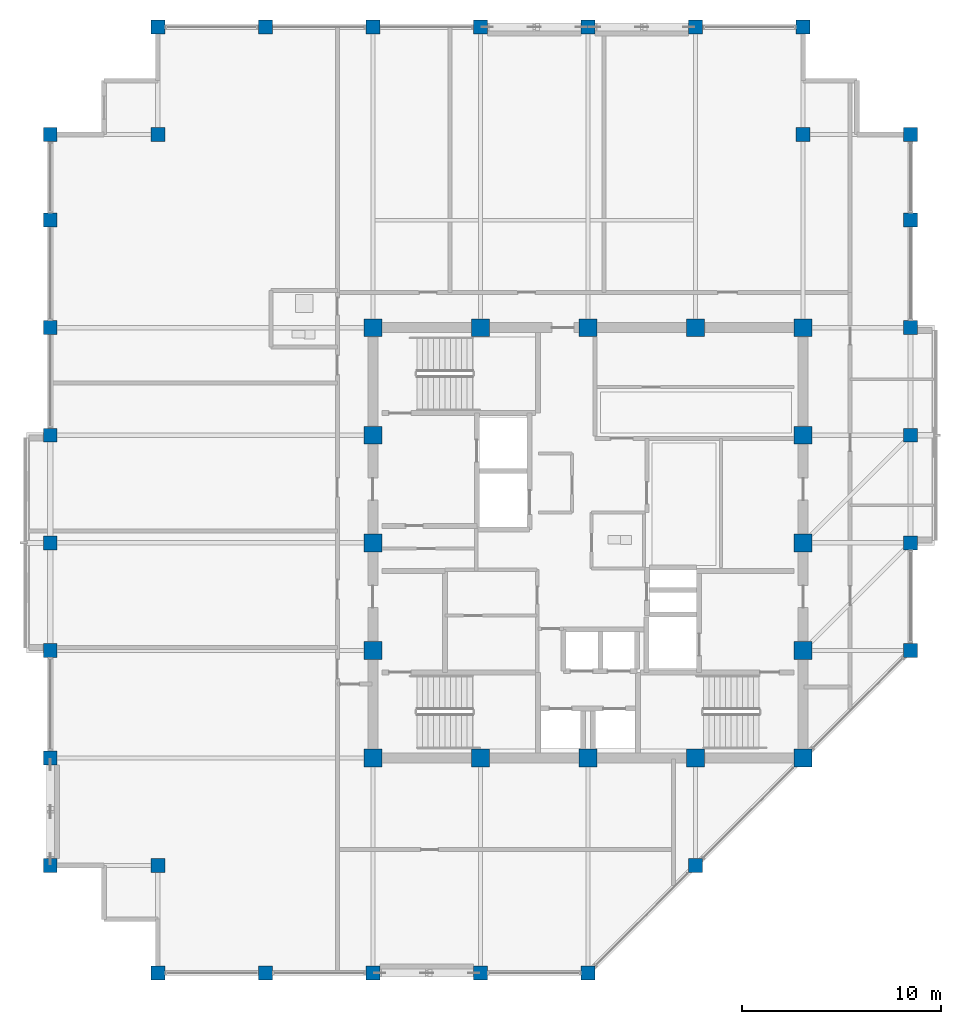
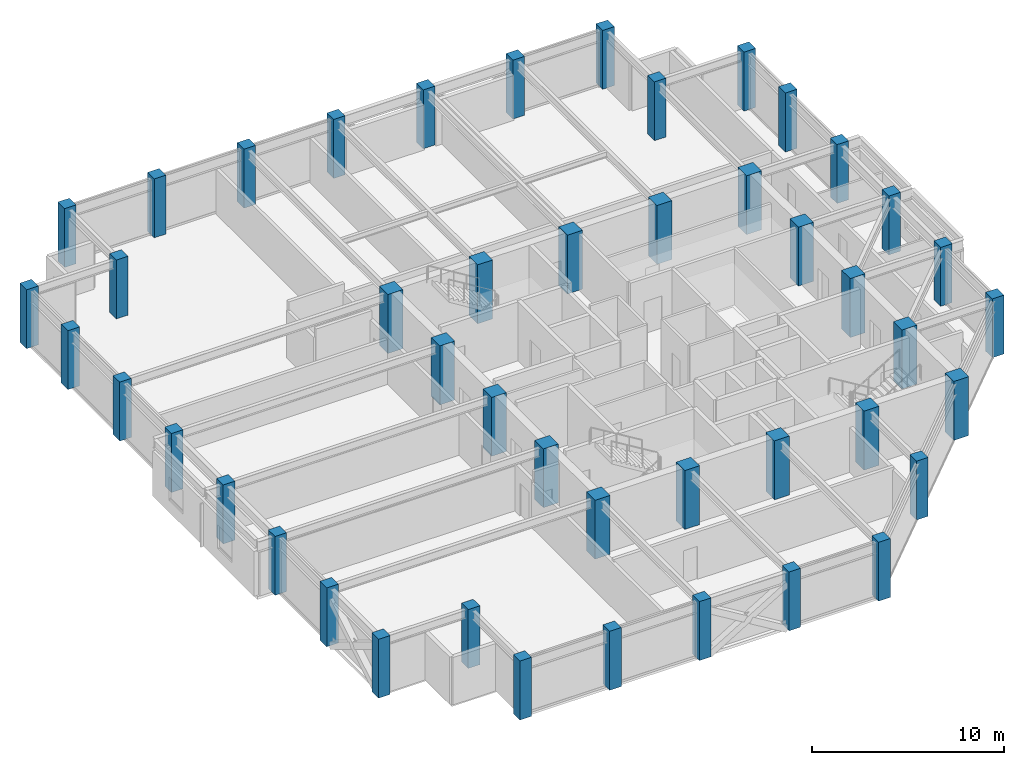
# One storey, part 1 of 29: 46 columns.
"""IFC4 building model written with IfcOpenShell, lengths in metres."""

from ifc_helpers import new_model, si_unit, direction, frame, origin, origin_2d, place, context, subcontext, project, spatial, rectangle, extrude, material, material_profile, profile_set, type_object, element, save


model = new_model("IFC4")

# Units and contexts
model_context = context("Model", 3, precision=1e-05, world=origin(), true_north=direction((0.0, 1.0)))
body_context = subcontext(model_context, "Body", "Model", "MODEL_VIEW")
ifc_project = project(units=[si_unit("LENGTHUNIT", "METRE"), si_unit("AREAUNIT", "SQUARE_METRE"), si_unit("VOLUMEUNIT", "CUBIC_METRE"), si_unit("PLANEANGLEUNIT", "RADIAN"), si_unit("MASSUNIT", "GRAM", prefix="KILO")], contexts=[model_context])

# Site, building, storey
site_placement = place(None, origin())
site = spatial("IfcSite", under=ifc_project, at=site_placement, CompositionType="ELEMENT")
building_placement = place(site_placement, origin())
building = spatial("IfcBuilding", under=site, at=building_placement, Name="Surkhivell Harbour Commons", CompositionType="ELEMENT")
storey_placement = place(building_placement, frame((0.0, 0.0, 277.5)))
storey = spatial("IfcBuildingStorey", under=building, at=storey_placement, Name="L72", CompositionType="ELEMENT", Elevation=277.5)

# Columns
ifc_material_1 = material(Name="Concrete C60/75", Category="concrete")
ifc_material_profile_1 = material_profile(ifc_material_1, rectangle(XDim=0.89990234375, YDim=0.89990234375, at=origin_2d()), Name="RC-COL-900x900")
ifc_profile_set_1 = profile_set([ifc_material_profile_1], Name="Concrete C60/75")
column_type_1 = type_object("IfcColumnType", Name="COL-TUBE-Z3A", PredefinedType="COLUMN", material=ifc_profile_set_1)
for number, where, z_axis, x_axis, name in (
    (1, (-10.800048828125, -10.800048828125, 0.0), (0.0, 0.0, 1.0), (1.0, 0.0, 0.0), "L72 Column CT-3A (-10.8,-10.8)"),
    (2, (-10.800048828125, -5.39990234375, 0.0), (0.0, 0.0, 1.0), (1.0, 0.0, 0.0), "L72 Column CT-3A (-10.8,-5.4)"),
    (3, (-10.800048828125, 0.0, 0.0), (0.0, 0.0, 1.0), (1.0, 0.0, 0.0), "L72 Column CT-3A (-10.8,0.0)"),
    (4, (-10.800048828125, 5.39990234375, 0.0), (0.0, 0.0, 1.0), (1.0, 0.0, 0.0), "L72 Column CT-3A (-10.8,5.4)"),
    (5, (-10.800048828125, 10.800048828125, 0.0), (0.0, 0.0, 1.0), (1.0, 0.0, 0.0), "L72 Column CT-3A (-10.8,10.8)"),
    (6, (-5.39990234375, -10.800048828125, 0.0), (0.0, 0.0, 1.0), (1.0, 0.0, 0.0), "L72 Column CT-3A (-5.4,-10.8)"),
    (7, (-5.39990234375, 10.800048828125, 0.0), (0.0, 0.0, 1.0), (1.0, 0.0, 0.0), "L72 Column CT-3A (-5.4,10.8)"),
    (8, (0.0, -10.800048828125, 0.0), (0.0, 0.0, 1.0), (1.0, 0.0, 0.0), "L72 Column CT-3A (0.0,-10.8)"),
    (9, (0.0, 10.800048828125, 0.0), (0.0, 0.0, 1.0), (1.0, 0.0, 0.0), "L72 Column CT-3A (0.0,10.8)"),
    (10, (5.39990234375, -10.800048828125, 0.0), (0.0, 0.0, 1.0), (1.0, 0.0, 0.0), "L72 Column CT-3A (5.4,-10.8)"),
    (11, (5.39990234375, 10.800048828125, 0.0), (0.0, 0.0, 1.0), (1.0, 0.0, 0.0), "L72 Column CT-3A (5.4,10.8)"),
    (12, (10.800048828125, -10.800048828125, 0.0), (0.0, 0.0, 1.0), (1.0, 0.0, 0.0), "L72 Column CT-3A (10.8,-10.8)"),
    (13, (10.800048828125, -5.39990234375, 0.0), (0.0, 0.0, 1.0), (1.0, 0.0, 0.0), "L72 Column CT-3A (10.8,-5.4)"),
    (14, (10.800048828125, 0.0, 0.0), (0.0, 0.0, 1.0), (1.0, 0.0, 0.0), "L72 Column CT-3A (10.8,0.0)"),
    (15, (10.800048828125, 5.39990234375, 0.0), (0.0, 0.0, 1.0), (1.0, 0.0, 0.0), "L72 Column CT-3A (10.8,5.4)"),
    (16, (10.800048828125, 10.800048828125, 0.0), (0.0, 0.0, 1.0), (1.0, 0.0, 0.0), "L72 Column CT-3A (10.8,10.8)"),
):
    element("IfcColumn", number, at=place(storey_placement, frame(where, z_axis=z_axis, x_axis=x_axis)), inside=storey, type_object=column_type_1, Name=name, PredefinedType="COLUMN", context=body_context, shape_type="SweptSolid", body=[
        extrude(rectangle(XDim=0.89990234375, YDim=0.89990234375, at=origin_2d()), origin(), (0.0, 0.0, 1.0), 3.75),
    ])
ifc_material_2 = material(Name="Concrete C50/60", Category="concrete")
ifc_material_profile_2 = material_profile(ifc_material_2, rectangle(XDim=0.699951171875, YDim=0.699951171875, at=origin_2d()), Name="RC-COL-700x700")
ifc_profile_set_2 = profile_set([ifc_material_profile_2], Name="Concrete C50/60")
column_type_2 = type_object("IfcColumnType", Name="COL-TUBE-Z4", PredefinedType="COLUMN", material=ifc_profile_set_2)
for number, where, z_axis, x_axis, name in (
    (17, (-27.0, -16.199951171875, 0.0), (0.0, 0.0, 1.0), (1.0, 0.0, 0.0), "L72 Column CT-4 (-27.0,-16.2)"),
    (18, (-27.0, -10.800048828125, 0.0), (0.0, 0.0, 1.0), (1.0, 0.0, 0.0), "L72 Column CT-4 (-27.0,-10.8)"),
    (19, (-27.0, -5.39990234375, 0.0), (0.0, 0.0, 1.0), (1.0, 0.0, 0.0), "L72 Column CT-4 (-27.0,-5.4)"),
    (20, (-27.0, 0.0, 0.0), (0.0, 0.0, 1.0), (1.0, 0.0, 0.0), "L72 Column CT-4 (-27.0,0.0)"),
    (21, (-27.0, 5.39990234375, 0.0), (0.0, 0.0, 1.0), (1.0, 0.0, 0.0), "L72 Column CT-4 (-27.0,5.4)"),
    (22, (-27.0, 10.800048828125, 0.0), (0.0, 0.0, 1.0), (1.0, 0.0, 0.0), "L72 Column CT-4 (-27.0,10.8)"),
    (23, (-27.0, 16.199951171875, 0.0), (0.0, 0.0, 1.0), (1.0, 0.0, 0.0), "L72 Column CT-4 (-27.0,16.2)"),
    (24, (-27.0, 20.5, 0.0), (0.0, 0.0, 1.0), (1.0, 0.0, 0.0), "L72 Column CT-4 (-27.0,20.5)"),
    (25, (-21.60009765625, -21.60009765625, 0.0), (0.0, 0.0, 1.0), (1.0, 0.0, 0.0), "L72 Column CT-4 (-21.6,-21.6)"),
    (26, (-21.60009765625, -16.199951171875, 0.0), (0.0, 0.0, 1.0), (1.0, 0.0, 0.0), "L72 Column CT-4 (-21.6,-16.2)"),
    (27, (-21.60009765625, 20.5, 0.0), (0.0, 0.0, 1.0), (1.0, 0.0, 0.0), "L72 Column CT-4 (-21.6,20.5)"),
    (28, (-21.60009765625, 25.89990234375, 0.0), (0.0, 0.0, 1.0), (1.0, 0.0, 0.0), "L72 Column CT-4 (-21.6,25.9)"),
    (29, (-16.199951171875, -21.60009765625, 0.0), (0.0, 0.0, 1.0), (1.0, 0.0, 0.0), "L72 Column CT-4 (-16.2,-21.6)"),
    (30, (-16.199951171875, 25.89990234375, 0.0), (0.0, 0.0, 1.0), (1.0, 0.0, 0.0), "L72 Column CT-4 (-16.2,25.9)"),
    (31, (-10.800048828125, -21.60009765625, 0.0), (0.0, 0.0, 1.0), (1.0, 0.0, 0.0), "L72 Column CT-4 (-10.8,-21.6)"),
    (32, (-10.800048828125, 25.89990234375, 0.0), (0.0, 0.0, 1.0), (1.0, 0.0, 0.0), "L72 Column CT-4 (-10.8,25.9)"),
    (33, (-5.39990234375, -21.60009765625, 0.0), (0.0, 0.0, 1.0), (1.0, 0.0, 0.0), "L72 Column CT-4 (-5.4,-21.6)"),
    (34, (-5.39990234375, 25.89990234375, 0.0), (0.0, 0.0, 1.0), (1.0, 0.0, 0.0), "L72 Column CT-4 (-5.4,25.9)"),
    (35, (0.0, -21.60009765625, 0.0), (0.0, 0.0, 1.0), (1.0, 0.0, 0.0), "L72 Column CT-4 (-0.0,-21.6)"),
    (36, (0.0, 25.89990234375, 0.0), (0.0, 0.0, 1.0), (1.0, 0.0, 0.0), "L72 Column CT-4 (-0.0,25.9)"),
    (37, (5.39990234375, -16.199951171875, 0.0), (0.0, 0.0, 1.0), (1.0, 0.0, 0.0), "L72 Column CT-4 (5.4,-16.2)"),
    (38, (5.39990234375, 25.89990234375, 0.0), (0.0, 0.0, 1.0), (1.0, 0.0, 0.0), "L72 Column CT-4 (5.4,25.9)"),
    (39, (10.800048828125, 20.5, 0.0), (0.0, 0.0, 1.0), (1.0, 0.0, 0.0), "L72 Column CT-4 (10.8,20.5)"),
    (40, (10.800048828125, 25.89990234375, 0.0), (0.0, 0.0, 1.0), (1.0, 0.0, 0.0), "L72 Column CT-4 (10.8,25.9)"),
    (41, (16.199951171875, -5.39990234375, 0.0), (0.0, 0.0, 1.0), (1.0, 0.0, 0.0), "L72 Column CT-4 (16.2,-5.4)"),
    (42, (16.199951171875, 0.0, 0.0), (0.0, 0.0, 1.0), (1.0, 0.0, 0.0), "L72 Column CT-4 (16.2,0.0)"),
    (43, (16.199951171875, 5.39990234375, 0.0), (0.0, 0.0, 1.0), (1.0, 0.0, 0.0), "L72 Column CT-4 (16.2,5.4)"),
    (44, (16.199951171875, 10.800048828125, 0.0), (0.0, 0.0, 1.0), (1.0, 0.0, 0.0), "L72 Column CT-4 (16.2,10.8)"),
    (45, (16.199951171875, 16.199951171875, 0.0), (0.0, 0.0, 1.0), (1.0, 0.0, 0.0), "L72 Column CT-4 (16.2,16.2)"),
    (46, (16.199951171875, 20.5, 0.0), (0.0, 0.0, 1.0), (1.0, 0.0, 0.0), "L72 Column CT-4 (16.2,20.5)"),
):
    element("IfcColumn", number, at=place(storey_placement, frame(where, z_axis=z_axis, x_axis=x_axis)), inside=storey, type_object=column_type_2, Name=name, PredefinedType="COLUMN", context=body_context, shape_type="SweptSolid", body=[
        extrude(rectangle(XDim=0.699951171875, YDim=0.699951171875, at=origin_2d()), origin(), (0.0, 0.0, 1.0), 3.75),
    ])

save(model, "model.ifc")
